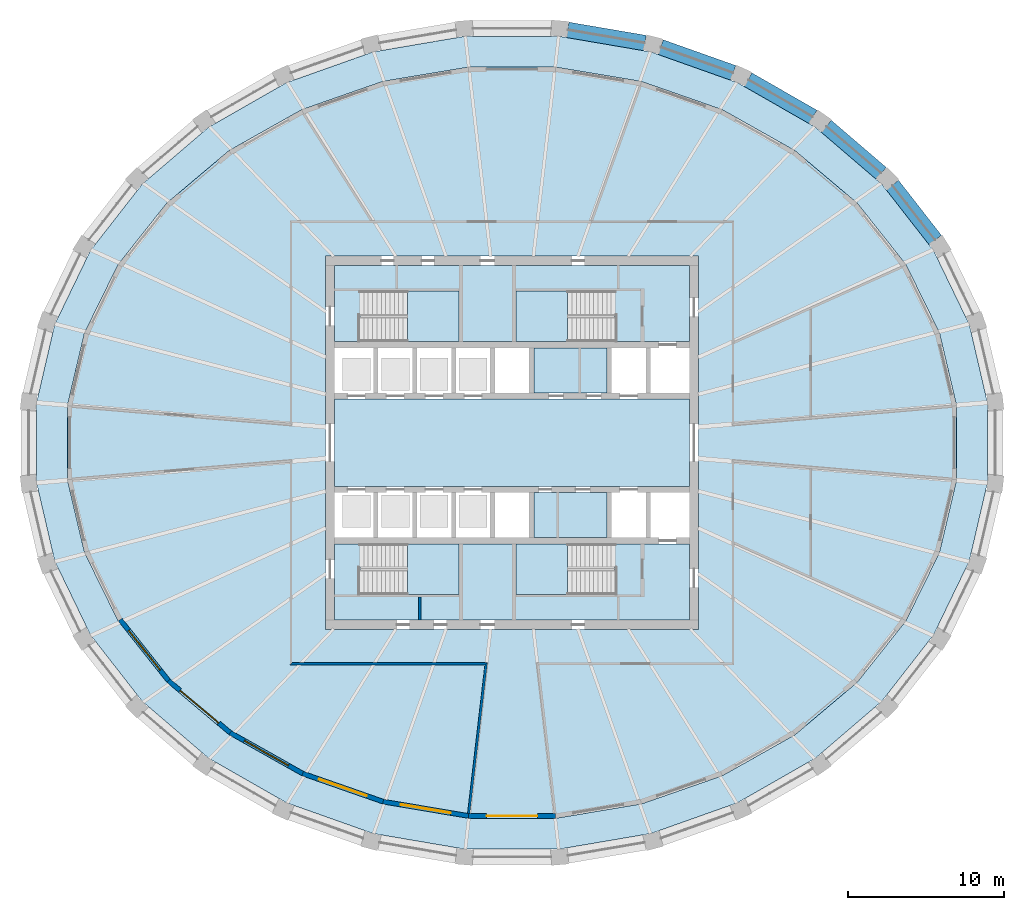
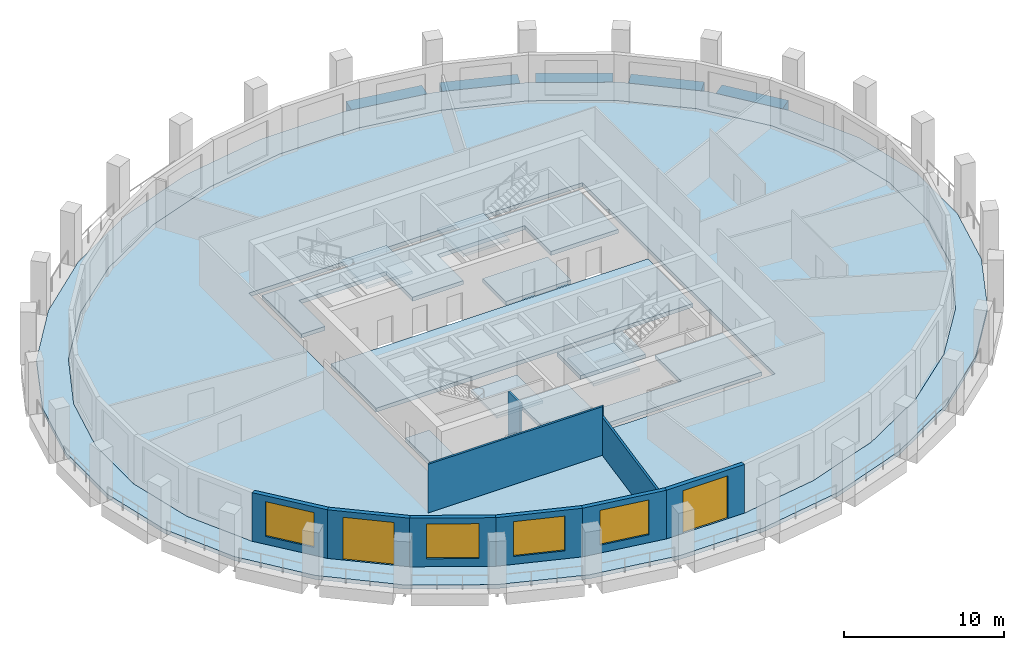
# One storey, part 2 of 10: 11 slabs, 9 walls, 5 beams, 4 windows, 2 doors, 6 openings, 4 elements without a shape of their own.
"""IFC4 building model written with IfcOpenShell, lengths in metres."""

from ifc_helpers import new_model, si_unit, direction, frame, frame_2d, origin, origin_2d, place, context, subcontext, project, spatial, polyline, rectangle, outline, extrude, material, layer, layer_set, material_profile, profile_set, type_object, element, fill, aggregate, save


model = new_model("IFC4")

# Units and contexts
model_context = context("Model", 3, precision=1e-05, world=origin(), true_north=direction((0.0, 1.0)))
body_context = subcontext(model_context, "Body", "Model", "MODEL_VIEW")
ifc_project = project(units=[si_unit("LENGTHUNIT", "METRE"), si_unit("AREAUNIT", "SQUARE_METRE"), si_unit("VOLUMEUNIT", "CUBIC_METRE"), si_unit("PLANEANGLEUNIT", "RADIAN"), si_unit("MASSUNIT", "GRAM", prefix="KILO")], contexts=[model_context])

# Site, building, storey
site_placement = place(None, origin())
site = spatial("IfcSite", under=ifc_project, at=site_placement, CompositionType="ELEMENT")
building_placement = place(site_placement, origin())
building = spatial("IfcBuilding", under=site, at=building_placement, Name="Halqa Exchange Tower", CompositionType="ELEMENT")
storey_placement = place(building_placement, frame((0.0, 0.0, 238.89990234375)))
storey = spatial("IfcBuildingStorey", under=building, at=storey_placement, Name="L55", CompositionType="ELEMENT", Elevation=238.89990234375)

# Beams
ifc_material_1 = material(Name="Concrete C60/75", Category="concrete")
ifc_material_profile = material_profile(ifc_material_1, rectangle(XDim=1.0, YDim=0.89990234375, at=origin_2d()), Name="1000 x 900")
ifc_profile_set = profile_set([ifc_material_profile], Name="Concrete C60/75")
beam_type = type_object("IfcBeamType", Name="RC spandrel beam 1000 x 900 C60/75", PredefinedType="SPANDREL", material=ifc_profile_set)
beam_1_placement = place(storey_placement, frame((27.20263671875, 13.024658203125, -0.449951171875), z_axis=(-0.614827074471, 0.788661948174, 0.0), x_axis=(-0.788661948174, -0.614827074471, 0.0)))
element("IfcBeam", 1, at=beam_1_placement, inside=storey, type_object=beam_type, Name="Spandrel 3", PredefinedType="SPANDREL", context=body_context, shape_type="SweptSolid", body=[
    extrude(rectangle(XDim=1.0, YDim=0.89990234375, at=origin_2d()), origin(), (0.0, 0.0, 1.0), 4.478759765625),
])
beam_2_placement = place(storey_placement, frame((23.72802734375, 17.312255859375, -0.449951171875), z_axis=(-0.759267722395, 0.650778399864, 0.0), x_axis=(-0.650778399864, -0.759267722395, 0.0)))
element("IfcBeam", 2, at=beam_2_placement, inside=storey, type_object=beam_type, Name="Spandrel 4", PredefinedType="SPANDREL", context=body_context, shape_type="SweptSolid", body=[
    extrude(rectangle(XDim=1.0, YDim=0.89990234375, at=origin_2d()), origin(), (0.0, 0.0, 1.0), 4.649169921875),
])
beam_3_placement = place(storey_placement, frame((19.345458984375, 20.939697265625, -0.449951171875), z_axis=(-0.8677465318, 0.497006998491, 0.0), x_axis=(-0.497006998491, -0.8677465318, 0.0)))
element("IfcBeam", 3, at=beam_3_placement, inside=storey, type_object=beam_type, Name="Spandrel 5", PredefinedType="SPANDREL", context=body_context, shape_type="SweptSolid", body=[
    extrude(rectangle(XDim=1.0, YDim=0.89990234375, at=origin_2d()), origin(), (0.0, 0.0, 1.0), 4.814453125),
])
beam_4_placement = place(storey_placement, frame((14.218994140625, 23.768310546875, -0.449951171875), z_axis=(-0.94237407927, 0.334561047822, 0.0), x_axis=(-0.334561047822, -0.94237407927, 0.0)))
element("IfcBeam", 4, at=beam_4_placement, inside=storey, type_object=beam_type, Name="Spandrel 6", PredefinedType="SPANDREL", context=body_context, shape_type="SweptSolid", body=[
    extrude(rectangle(XDim=1.0, YDim=0.89990234375, at=origin_2d()), origin(), (0.0, 0.0, 1.0), 4.94970703125),
])
beam_5_placement = place(storey_placement, frame((8.543212890625, 25.68798828125, -0.449951171875), z_axis=(-0.985775605401, 0.16806681944, 0.0), x_axis=(-0.16806681944, -0.985775605401, 0.0)))
element("IfcBeam", 5, at=beam_5_placement, inside=storey, type_object=beam_type, Name="Spandrel 7", PredefinedType="SPANDREL", context=body_context, shape_type="SweptSolid", body=[
    extrude(rectangle(XDim=1.0, YDim=0.89990234375, at=origin_2d()), origin(), (0.0, 0.0, 1.0), 5.039306640625),
])

# Slabs
ifc_layer_1 = layer(ifc_material_1, 0.300048828125)
ifc_layer_set_1 = layer_set([ifc_layer_1], Name="Concrete C60/75")
slab_type_1 = type_object("IfcSlabType", Name="Core floor slab 300", PredefinedType="FLOOR", material=ifc_layer_set_1)
slab_1_placement = place(storey_placement, frame((0.0, 0.0, -0.2998046875)))
element("IfcSlab", 6, at=slab_1_placement, inside=storey, type_object=slab_type_1, Name="Core floor slab", PredefinedType="FLOOR", context=body_context, shape_type="SweptSolid", body=[
    extrude(outline(polyline([(-11.39990234375, 2.800048828125), (11.39990234375, 2.800048828125), (11.39990234375, -2.800048828125), (-11.39990234375, -2.800048828125), (-11.39990234375, 2.800048828125)])), origin(), (0.0, 0.0, 1.0), 0.2998046875),
])
slab_2_placement = place(storey_placement, frame((0.0, 0.0, -0.2998046875)))
element("IfcSlab", 7, at=slab_2_placement, inside=storey, type_object=slab_type_1, Name="Core floor slab", PredefinedType="FLOOR", context=body_context, shape_type="SweptSolid", body=[
    extrude(outline(polyline([(-11.39990234375, 11.39990234375), (11.39990234375, 11.39990234375), (11.39990234375, 6.5), (6.550048828125, 6.5), (6.550048828125, 9.75), (0.25, 9.75), (0.25, 6.5), (-3.39990234375, 6.5), (-3.39990234375, 9.75), (-9.699951171875, 9.75), (-9.699951171875, 6.5), (-11.39990234375, 6.5), (-11.39990234375, 11.39990234375)])), origin(), (0.0, 0.0, 1.0), 0.2998046875),
])
slab_3_placement = place(storey_placement, frame((0.0, 0.0, -0.2998046875)))
element("IfcSlab", 8, at=slab_3_placement, inside=storey, type_object=slab_type_1, Name="Core floor slab", PredefinedType="FLOOR", context=body_context, shape_type="SweptSolid", body=[
    extrude(outline(polyline([(-9.699951171875, -9.75), (-3.39990234375, -9.75), (-3.39990234375, -6.5), (0.25, -6.5), (0.25, -9.75), (6.550048828125, -9.75), (6.550048828125, -6.5), (11.39990234375, -6.5), (11.39990234375, -11.39990234375), (-11.39990234375, -11.39990234375), (-11.39990234375, -6.5), (-9.699951171875, -6.5), (-9.699951171875, -9.75)])), origin(), (0.0, 0.0, 1.0), 0.2998046875),
])
slab_4_placement = place(storey_placement, frame((0.0, 0.0, -0.2998046875)))
element("IfcSlab", 9, at=slab_4_placement, inside=storey, type_object=slab_type_1, Name="Core floor slab", PredefinedType="FLOOR", context=body_context, shape_type="SweptSolid", body=[
    extrude(outline(polyline([(6.10009765625, -3.199951171875), (6.10009765625, -6.10009765625), (1.39990234375, -6.10009765625), (1.39990234375, -3.199951171875), (6.10009765625, -3.199951171875)])), origin(), (0.0, 0.0, 1.0), 0.2998046875),
])
slab_5_placement = place(storey_placement, frame((0.0, 0.0, -0.2998046875)))
element("IfcSlab", 10, at=slab_5_placement, inside=storey, type_object=slab_type_1, Name="Core floor slab", PredefinedType="FLOOR", context=body_context, shape_type="SweptSolid", body=[
    extrude(outline(polyline([(6.10009765625, 6.10009765625), (6.10009765625, 3.199951171875), (1.39990234375, 3.199951171875), (1.39990234375, 6.10009765625), (6.10009765625, 6.10009765625)])), origin(), (0.0, 0.0, 1.0), 0.2998046875),
])
ifc_material_2 = material(Name="Concrete C40/50", Category="concrete")
ifc_layer_2 = layer(ifc_material_2, 0.300048828125)
ifc_layer_set_2 = layer_set([ifc_layer_2], Name="Concrete C40/50")
slab_type_2 = type_object("IfcSlabType", Name="RC floor slab 300", PredefinedType="FLOOR", material=ifc_layer_set_2)
slab_6_placement = place(storey_placement, frame((0.0, 0.0, -0.2998046875)))
element("IfcSlab", 11, at=slab_6_placement, inside=storey, type_object=slab_type_2, Name="Floor slab", PredefinedType="FLOOR", context=body_context, shape_type="SweptSolid", body=[
    extrude(outline(polyline([(28.57373046875, 2.382568359375), (27.471435546875, 7.0546875), (25.310791015625, 11.451904296875), (22.177978515625, 15.40478515625), (18.1953125, 18.7626953125), (13.5166015625, 21.398193359375), (8.322021484375, 23.212158203125), (2.809814453125, 24.13671875), (-2.809814453125, 24.13671875), (-8.322021484375, 23.212158203125), (-13.5166015625, 21.398193359375), (-18.1953125, 18.7626953125), (-22.177978515625, 15.40478515625), (-25.310791015625, 11.451904296875), (-27.471435546875, 7.0546875), (-28.57373046875, 2.382568359375), (-28.57373046875, -2.382568359375), (-27.471435546875, -7.0546875), (-25.310791015625, -11.451904296875), (-22.177978515625, -15.40478515625), (-18.1953125, -18.7626953125), (-13.5166015625, -21.398193359375), (-8.322021484375, -23.212158203125), (-2.809814453125, -24.13671875), (2.809814453125, -24.13671875), (8.322021484375, -23.212158203125), (13.5166015625, -21.398193359375), (18.1953125, -18.7626953125), (22.177978515625, -15.40478515625), (25.310791015625, -11.451904296875), (27.471435546875, -7.0546875), (28.57373046875, -2.382568359375), (28.57373046875, 2.382568359375)]), holes=[polyline([(-12.0, -12.0), (12.0, -12.0), (12.0, 12.0), (-12.0, 12.0), (-12.0, -12.0)])]), origin(), (0.0, 0.0, 1.0), 0.2998046875),
])
ifc_layer_3 = layer(ifc_material_2, 0.300048828125)
ifc_layer_set_3 = layer_set([ifc_layer_3], Name="Concrete C40/50")
slab_type_3 = type_object("IfcSlabType", Name="RC loggia slab 300", PredefinedType="FLOOR", material=ifc_layer_set_3)
slab_7_placement = place(storey_placement, frame((0.0, 0.0, -0.2998046875)))
element("IfcSlab", 12, at=slab_7_placement, inside=storey, type_object=slab_type_3, Name="Loggia slab", PredefinedType="FLOOR", context=body_context, shape_type="SweptSolid", body=[
    extrude(outline(polyline([(30.560302734375, 2.564697265625), (30.560302734375, -2.564697265625), (29.39208984375, -7.598388671875), (27.09814453125, -12.34521484375), (23.762451171875, -16.624267578125), (19.51025390625, -20.26904296875), (14.5029296875, -23.136962890625), (8.933349609375, -25.114501953125), (3.016845703125, -26.123046875), (-3.016845703125, -26.123046875), (-8.933349609375, -25.114501953125), (-14.5029296875, -23.136962890625), (-19.51025390625, -20.26904296875), (-23.762451171875, -16.624267578125), (-27.09814453125, -12.34521484375), (-29.39208984375, -7.598388671875), (-30.560302734375, -2.564697265625), (-30.560302734375, 2.564697265625), (-29.39208984375, 7.598388671875), (-27.09814453125, 12.34521484375), (-23.762451171875, 16.624267578125), (-19.51025390625, 20.26904296875), (-14.5029296875, 23.136962890625), (-8.933349609375, 25.114501953125), (-3.016845703125, 26.123046875), (3.016845703125, 26.123046875), (8.933349609375, 25.114501953125), (14.5029296875, 23.136962890625), (19.51025390625, 20.26904296875), (23.762451171875, 16.624267578125), (27.09814453125, 12.34521484375), (29.39208984375, 7.598388671875), (30.560302734375, 2.564697265625)]), holes=[polyline([(28.57373046875, 2.382568359375), (27.471435546875, 7.0546875), (25.310791015625, 11.451904296875), (22.177978515625, 15.40478515625), (18.1953125, 18.7626953125), (13.5166015625, 21.398193359375), (8.322021484375, 23.212158203125), (2.809814453125, 24.13671875), (-2.809814453125, 24.13671875), (-8.322021484375, 23.212158203125), (-13.5166015625, 21.398193359375), (-18.1953125, 18.7626953125), (-22.177978515625, 15.40478515625), (-25.310791015625, 11.451904296875), (-27.471435546875, 7.0546875), (-28.57373046875, 2.382568359375), (-28.57373046875, -2.382568359375), (-27.471435546875, -7.0546875), (-25.310791015625, -11.451904296875), (-22.177978515625, -15.40478515625), (-18.1953125, -18.7626953125), (-13.5166015625, -21.398193359375), (-8.322021484375, -23.212158203125), (-2.809814453125, -24.13671875), (2.809814453125, -24.13671875), (8.322021484375, -23.212158203125), (13.5166015625, -21.398193359375), (18.1953125, -18.7626953125), (22.177978515625, -15.40478515625), (25.310791015625, -11.451904296875), (27.471435546875, -7.0546875), (28.57373046875, -2.382568359375), (28.57373046875, 2.382568359375)])]), origin(), (0.0, 0.0, 1.0), 0.2998046875),
])

# Stair, slab
ifc_material_3 = material(Name="Concrete C30/37", Category="concrete")
stair_type = type_object("IfcStairType", Name="Exit stair 1500 wide", PredefinedType="HALF_TURN_STAIR", material=ifc_material_3)
stair_1_placement = place(storey_placement, origin())
stair_1 = element("IfcStair", 13, at=stair_1_placement, inside=storey, type_object=stair_type, Name="Exit stair ST1", PredefinedType="HALF_TURN_STAIR")
ifc_layer_4 = layer(ifc_material_3, 0.199951171875)
ifc_layer_set_4 = layer_set([ifc_layer_4], Name="Concrete C30/37")
slab_type_4 = type_object("IfcSlabType", Name="Stair landing 200 slab", PredefinedType="LANDING", material=ifc_layer_set_4)
slab_8_placement = place(storey_placement, frame((0.0, 0.0, 1.800048828125)))
slab_8 = element("IfcSlab", 14, at=slab_8_placement, type_object=slab_type_4, Name="ST1 landing 1", PredefinedType="LANDING", context=body_context, shape_type="SweptSolid", body=[
    extrude(outline(polyline([(-6.719970703125, 6.5), (-3.39990234375, 6.5), (-3.39990234375, 9.75), (-6.719970703125, 9.75), (-6.719970703125, 6.5)])), origin(), (0.0, 0.0, 1.0), 0.199951171875),
])
aggregate(stair_1, [slab_8])

stair_2_placement = place(storey_placement, origin())
stair_2 = element("IfcStair", 15, at=stair_2_placement, inside=storey, type_object=stair_type, Name="Exit stair ST2", PredefinedType="HALF_TURN_STAIR")
slab_9_placement = place(storey_placement, frame((0.0, 0.0, 1.800048828125)))
slab_9 = element("IfcSlab", 16, at=slab_9_placement, type_object=slab_type_4, Name="ST2 landing 1", PredefinedType="LANDING", context=body_context, shape_type="SweptSolid", body=[
    extrude(outline(polyline([(0.25, 6.5), (3.570068359375, 6.5), (3.570068359375, 9.75), (0.25, 9.75), (0.25, 6.5)])), origin(), (0.0, 0.0, 1.0), 0.199951171875),
])
aggregate(stair_2, [slab_9])

stair_3_placement = place(storey_placement, origin())
stair_3 = element("IfcStair", 17, at=stair_3_placement, inside=storey, type_object=stair_type, Name="Exit stair ST3", PredefinedType="HALF_TURN_STAIR")
slab_10_placement = place(storey_placement, frame((0.0, 0.0, 1.800048828125)))
slab_10 = element("IfcSlab", 18, at=slab_10_placement, type_object=slab_type_4, Name="ST3 landing 1", PredefinedType="LANDING", context=body_context, shape_type="SweptSolid", body=[
    extrude(outline(polyline([(-6.719970703125, -9.75), (-3.39990234375, -9.75), (-3.39990234375, -6.5), (-6.719970703125, -6.5), (-6.719970703125, -9.75)])), origin(), (0.0, 0.0, 1.0), 0.199951171875),
])
aggregate(stair_3, [slab_10])

stair_4_placement = place(storey_placement, origin())
stair_4 = element("IfcStair", 19, at=stair_4_placement, inside=storey, type_object=stair_type, Name="Exit stair ST4", PredefinedType="HALF_TURN_STAIR")
slab_11_placement = place(storey_placement, frame((0.0, 0.0, 1.800048828125)))
slab_11 = element("IfcSlab", 20, at=slab_11_placement, type_object=slab_type_4, Name="ST4 landing 1", PredefinedType="LANDING", context=body_context, shape_type="SweptSolid", body=[
    extrude(outline(polyline([(0.25, -9.75), (3.570068359375, -9.75), (3.570068359375, -6.5), (0.25, -6.5), (0.25, -9.75)])), origin(), (0.0, 0.0, 1.0), 0.199951171875),
])
aggregate(stair_4, [slab_11])

# Walls
ifc_material_4 = material(Name="Fire-rated gypsum board")
ifc_layer_5 = layer(ifc_material_4, 0.14990234375)
ifc_layer_set_5 = layer_set([ifc_layer_5], Name="Fire-rated gypsum board")
wall_type_1 = type_object("IfcWallType", Name="Fire partition EI 60 150", PredefinedType="PARTITIONING", material=ifc_layer_set_5)
wall_1_placement = place(storey_placement, frame((-2.7841796875, -23.83251953125, 0.0), z_axis=(0.0, 0.0, 1.0), x_axis=(0.115927481877, 0.993257680034, 0.0)))
element("IfcWall", 21, at=wall_1_placement, inside=storey, type_object=wall_type_1, Name="L55-PWL-007", PredefinedType="PARTITIONING", context=body_context, shape_type="SweptSolid", body=[
    extrude(outline(polyline([(0.004638671875, -0.074951171875), (1.960205078125, -0.074951171875), (3.91552734375, -0.074951171875), (5.87109375, -0.074951171875), (7.82666015625, -0.074951171875), (9.7822265625, -0.074951171875), (9.697998046875, 0.0), (9.61376953125, 0.074951171875), (7.69091796875, 0.074951171875), (5.768310546875, 0.074951171875), (3.845458984375, 0.074951171875), (1.9228515625, 0.074951171875), (0.0, 0.074951171875), (0.0, -0.03515625), (0.004638671875, -0.074951171875)])), origin(), (0.0, 0.0, 1.0), 2.897216796875),
])
wall_2_placement = place(storey_placement, frame((-1.57568359375, -14.199951171875, 0.0), z_axis=(0.0, 0.0, 1.0), x_axis=(-1.0, 0.0, 0.0)))
element("IfcWall", 22, at=wall_2_placement, inside=storey, type_object=wall_type_1, Name="L55-PWL-008", PredefinedType="PARTITIONING", context=body_context, shape_type="SweptSolid", body=[
    extrude(outline(polyline([(0.0, -0.074951171875), (1.792724609375, -0.074951171875), (3.58544921875, -0.074951171875), (5.37841796875, -0.074951171875), (7.171142578125, -0.074951171875), (8.9638671875, -0.074951171875), (10.756591796875, -0.074951171875), (12.54931640625, -0.074951171875), (12.69921875, 0.074951171875), (10.9091796875, 0.074951171875), (9.118896484375, 0.074951171875), (7.328857421875, 0.074951171875), (5.538818359375, 0.074951171875), (3.748779296875, 0.074951171875), (1.95849609375, 0.074951171875), (0.16845703125, 0.074951171875), (0.0, -0.074951171875)])), origin(), (0.0, 0.0, 1.0), 3.7001953125),
])
ifc_material_5 = material(Name="Gypsum board")
ifc_layer_6 = layer(ifc_material_5, 0.14990234375)
ifc_layer_set_6 = layer_set([ifc_layer_6], Name="Gypsum board")
wall_type_2 = type_object("IfcWallType", Name="Penthouse riser wall 150 gypsum", PredefinedType="PARTITIONING", material=ifc_layer_set_6)
wall_3_placement = place(storey_placement, frame((-5.925048828125, -11.39990234375, 0.0), z_axis=(0.0, 0.0, 1.0), x_axis=(0.0, 1.0, 0.0)))
element("IfcWall", 23, at=wall_3_placement, inside=storey, type_object=wall_type_2, Name="Partition W5.925 S", PredefinedType="PARTITIONING", context=body_context, shape_type="SweptSolid", body=[
    extrude(rectangle(XDim=1.5, YDim=0.14990234375, at=frame_2d((0.75, 0.0))), origin(), (0.0, 0.0, 1.0), 3.7001953125),
])

# Wall, opening, window
ifc_material_6 = material(Name="Limestone cladding", Category="masonry")
ifc_layer_7 = layer(ifc_material_6, 0.0400390625)
ifc_material_7 = material(Name="Ventilated cavity")
ifc_layer_8 = layer(ifc_material_7, 0.030029296875, ventilated=True)
ifc_material_8 = material(Name="Mineral wool insulation")
ifc_layer_9 = layer(ifc_material_8, 0.10009765625)
ifc_layer_10 = layer(ifc_material_3, 0.10009765625)
ifc_material_9 = material(Name="Internal plaster")
ifc_layer_11 = layer(ifc_material_9, 0.030029296875)
ifc_layer_set_7 = layer_set([ifc_layer_7, ifc_layer_8, ifc_layer_9, ifc_layer_10, ifc_layer_11], Name="Stone-faced insulated wall 300")
wall_type_3 = type_object("IfcWallType", Name="Stone-faced insulated wall 300", PredefinedType="STANDARD", material=ifc_layer_set_7)
wall_4_placement = place(storey_placement, frame((-25.183349609375, -11.371337890625, 0.0), z_axis=(0.0, 0.0, 1.0), x_axis=(0.621130746167, -0.783706958094, 0.0)))
wall_4 = element("IfcWall", 24, at=wall_4_placement, inside=storey, type_object=wall_type_3, Name="Glass-line wall 19", PredefinedType="STANDARD", context=body_context, shape_type="SweptSolid", body=[
    extrude(outline(polyline([(-0.01611328125, -0.14990234375), (5.02783203125, -0.14990234375), (4.99755859375, 0.14990234375), (0.01611328125, 0.14990234375), (-0.01611328125, -0.14990234375)])), origin(), (0.0, 0.0, 1.0), 3.7001953125),
])
opening_1_placement = place(wall_4_placement, frame((0.88134765625, 0.0, 0.60009765625)))
opening_1 = element("IfcOpeningElement", 25, at=opening_1_placement, cuts=wall_4, Name="Opening W-F3-19", PredefinedType="OPENING", context=body_context, shape_type="SweptSolid", body=[
    extrude(rectangle(XDim=3.25, YDim=2.64990234375, at=frame_2d((1.625, 1.324951171875))), frame((0.0, 0.162109375, 0.0), z_axis=(0.0, -1.0, 0.0), x_axis=(1.0, 0.0, 0.0)), (0.0, 0.0, 1.0), 0.323974609375),
])
ifc_material_10 = material(Name="Clear low-emissivity glass in aluminium frame", Category="aluminium")
window_type = type_object("IfcWindowType", Name="Fixed clear glazed window 3250 x 2650", PartitioningType="TRIPLE_PANEL_VERTICAL", PredefinedType="WINDOW", material=ifc_material_10)
window_1_placement = place(opening_1_placement, origin())
window_1 = element("IfcWindow", 26, at=window_1_placement, inside=storey, type_object=window_type, Name="Window 3", OverallHeight=2.64990234375, OverallWidth=3.25, PartitioningType="TRIPLE_PANEL_VERTICAL", PredefinedType="WINDOW", context=body_context, shape_type="SweptSolid", body=[
    extrude(rectangle(XDim=3.25, YDim=2.64990234375, at=frame_2d((1.625, 1.324951171875))), frame((0.0, 0.030029296875, 0.0), z_axis=(0.0, -1.0, 0.0), x_axis=(1.0, 0.0, 0.0)), (0.0, 0.0, 1.0), 0.06005859375),
])
fill(opening_1, window_1)

# Wall, opening, door
wall_5_placement = place(storey_placement, frame((-22.06982421875, -15.2998046875, 0.0), z_axis=(0.0, 0.0, 1.0), x_axis=(0.764530975429, -0.644586989948, 0.0)))
wall_5 = element("IfcWall", 27, at=wall_5_placement, inside=storey, type_object=wall_type_3, Name="Glass-line wall 20", PredefinedType="STANDARD", context=body_context, shape_type="SweptSolid", body=[
    extrude(outline(polyline([(-0.01513671875, -0.14990234375), (5.1943359375, -0.14990234375), (5.166015625, 0.14990234375), (0.01513671875, 0.14990234375), (-0.01513671875, -0.14990234375)])), origin(), (0.0, 0.0, 1.0), 3.7001953125),
])
opening_2_placement = place(wall_5_placement, frame((0.965087890625, 0.0, 0.0)))
opening_2 = element("IfcOpeningElement", 28, at=opening_2_placement, cuts=wall_5, Name="Opening LG-F3-05", PredefinedType="OPENING", context=body_context, shape_type="SweptSolid", body=[
    extrude(rectangle(XDim=3.25, YDim=3.25, at=frame_2d((1.625, 1.625))), frame((0.0, 0.162109375, 0.0), z_axis=(0.0, -1.0, 0.0), x_axis=(1.0, 0.0, 0.0)), (0.0, 0.0, 1.0), 0.323974609375),
])
door_type = type_object("IfcDoorType", Name="Glazed sliding loggia door 3250 x 3250", OperationType="DOUBLE_DOOR_SLIDING", PredefinedType="DOOR", material=ifc_material_10)
door_1_placement = place(opening_2_placement, origin())
door_1 = element("IfcDoor", 29, at=door_1_placement, inside=storey, type_object=door_type, Name="Loggia door 5", OperationType="DOUBLE_DOOR_SLIDING", OverallHeight=3.25, OverallWidth=3.25, PredefinedType="DOOR", context=body_context, shape_type="SweptSolid", body=[
    extrude(rectangle(XDim=3.25, YDim=3.25, at=frame_2d((1.625, 1.625))), frame((0.0, 0.02490234375, 0.0), z_axis=(0.0, -1.0, 0.0), x_axis=(1.0, 0.0, 0.0)), (0.0, 0.0, 1.0), 0.050048828125),
])
fill(opening_2, door_1)

# Wall, opening, window
wall_6_placement = place(storey_placement, frame((-18.109375, -18.638916015625, 0.0), z_axis=(0.0, 0.0, 1.0), x_axis=(0.871275151053, -0.490794876865, 0.0)))
wall_6 = element("IfcWall", 30, at=wall_6_placement, inside=storey, type_object=wall_type_3, Name="Glass-line wall 21", PredefinedType="STANDARD", context=body_context, shape_type="SweptSolid", body=[
    extrude(outline(polyline([(-0.01416015625, -0.14990234375), (5.35595703125, -0.14990234375), (5.3291015625, 0.14990234375), (0.01416015625, 0.14990234375), (-0.01416015625, -0.14990234375)])), origin(), (0.0, 0.0, 1.0), 3.7001953125),
])
opening_3_placement = place(wall_6_placement, frame((1.046142578125, 0.0, 0.60009765625)))
opening_3 = element("IfcOpeningElement", 31, at=opening_3_placement, cuts=wall_6, Name="Opening W-F3-21", PredefinedType="OPENING", context=body_context, shape_type="SweptSolid", body=[
    extrude(rectangle(XDim=3.25, YDim=2.64990234375, at=frame_2d((1.625, 1.324951171875))), frame((0.0, 0.162109375, 0.0), z_axis=(0.0, -1.0, 0.0), x_axis=(1.0, 0.0, 0.0)), (0.0, 0.0, 1.0), 0.323974609375),
])
window_2_placement = place(opening_3_placement, origin())
window_2 = element("IfcWindow", 32, at=window_2_placement, inside=storey, type_object=window_type, Name="Window 3", OverallHeight=2.64990234375, OverallWidth=3.25, PartitioningType="TRIPLE_PANEL_VERTICAL", PredefinedType="WINDOW", context=body_context, shape_type="SweptSolid", body=[
    extrude(rectangle(XDim=3.25, YDim=2.64990234375, at=frame_2d((1.625, 1.324951171875))), frame((0.0, 0.030029296875, 0.0), z_axis=(0.0, -1.0, 0.0), x_axis=(1.0, 0.0, 0.0)), (0.0, 0.0, 1.0), 0.06005859375),
])
fill(opening_3, window_2)

wall_7_placement = place(storey_placement, frame((-13.45458984375, -21.260986328125, 0.0), z_axis=(0.0, 0.0, 1.0), x_axis=(0.944093730832, -0.329677156326, 0.0)))
wall_7 = element("IfcWall", 33, at=wall_7_placement, inside=storey, type_object=wall_type_3, Name="Glass-line wall 22", PredefinedType="STANDARD", context=body_context, shape_type="SweptSolid", body=[
    extrude(outline(polyline([(-0.013427734375, -0.14990234375), (5.489013671875, -0.14990234375), (5.463623046875, 0.14990234375), (0.013427734375, 0.14990234375), (-0.013427734375, -0.14990234375)])), origin(), (0.0, 0.0, 1.0), 3.7001953125),
])
opening_4_placement = place(wall_7_placement, frame((1.113037109375, 0.0, 0.60009765625)))
opening_4 = element("IfcOpeningElement", 34, at=opening_4_placement, cuts=wall_7, Name="Opening W-F3-22", PredefinedType="OPENING", context=body_context, shape_type="SweptSolid", body=[
    extrude(rectangle(XDim=3.25, YDim=2.64990234375, at=frame_2d((1.625, 1.324951171875))), frame((0.0, 0.162109375, 0.0), z_axis=(0.0, -1.0, 0.0), x_axis=(1.0, 0.0, 0.0)), (0.0, 0.0, 1.0), 0.323974609375),
])
window_3_placement = place(opening_4_placement, origin())
window_3 = element("IfcWindow", 35, at=window_3_placement, inside=storey, type_object=window_type, Name="Window 3", OverallHeight=2.64990234375, OverallWidth=3.25, PartitioningType="TRIPLE_PANEL_VERTICAL", PredefinedType="WINDOW", context=body_context, shape_type="SweptSolid", body=[
    extrude(rectangle(XDim=3.25, YDim=2.64990234375, at=frame_2d((1.625, 1.324951171875))), frame((0.0, 0.030029296875, 0.0), z_axis=(0.0, -1.0, 0.0), x_axis=(1.0, 0.0, 0.0)), (0.0, 0.0, 1.0), 0.06005859375),
])
fill(opening_4, window_3)

wall_8_placement = place(storey_placement, frame((-8.284423828125, -23.06640625, 0.0), z_axis=(0.0, 0.0, 1.0), x_axis=(0.98622977737, -0.16538085206, 0.0)))
wall_8 = element("IfcWall", 36, at=wall_8_placement, inside=storey, type_object=wall_type_3, Name="Glass-line wall 23", PredefinedType="STANDARD", context=body_context, shape_type="SweptSolid", body=[
    extrude(outline(polyline([(-0.0126953125, -0.14990234375), (5.576416015625, -0.14990234375), (5.551513671875, 0.14990234375), (0.0126953125, 0.14990234375), (-0.0126953125, -0.14990234375)])), origin(), (0.0, 0.0, 1.0), 3.7001953125),
])
opening_5_placement = place(wall_8_placement, frame((1.156982421875, 0.0, 0.60009765625)))
opening_5 = element("IfcOpeningElement", 37, at=opening_5_placement, cuts=wall_8, Name="Opening W-F3-23", PredefinedType="OPENING", context=body_context, shape_type="SweptSolid", body=[
    extrude(rectangle(XDim=3.25, YDim=2.64990234375, at=frame_2d((1.625, 1.324951171875))), frame((0.0, 0.162109375, 0.0), z_axis=(0.0, -1.0, 0.0), x_axis=(1.0, 0.0, 0.0)), (0.0, 0.0, 1.0), 0.323974609375),
])
window_4_placement = place(opening_5_placement, origin())
window_4 = element("IfcWindow", 38, at=window_4_placement, inside=storey, type_object=window_type, Name="Window 3", OverallHeight=2.64990234375, OverallWidth=3.25, PartitioningType="TRIPLE_PANEL_VERTICAL", PredefinedType="WINDOW", context=body_context, shape_type="SweptSolid", body=[
    extrude(rectangle(XDim=3.25, YDim=2.64990234375, at=frame_2d((1.625, 1.324951171875))), frame((0.0, 0.030029296875, 0.0), z_axis=(0.0, -1.0, 0.0), x_axis=(1.0, 0.0, 0.0)), (0.0, 0.0, 1.0), 0.06005859375),
])
fill(opening_5, window_4)

# Wall, opening, door
wall_9_placement = place(storey_placement, frame((-2.797119140625, -23.986572265625, 0.0), z_axis=(0.0, 0.0, 1.0), x_axis=(1.0, 0.0, 0.0)))
wall_9 = element("IfcWall", 39, at=wall_9_placement, inside=storey, type_object=wall_type_3, Name="Glass-line wall 24", PredefinedType="STANDARD", context=body_context, shape_type="SweptSolid", body=[
    extrude(outline(polyline([(-0.012451171875, -0.14990234375), (5.606689453125, -0.14990234375), (5.581787109375, 0.14990234375), (0.012451171875, 0.14990234375), (-0.012451171875, -0.14990234375)])), origin(), (0.0, 0.0, 1.0), 3.7001953125),
])
opening_6_placement = place(wall_9_placement, frame((1.172119140625, 0.0, 0.0)))
opening_6 = element("IfcOpeningElement", 40, at=opening_6_placement, cuts=wall_9, Name="Opening LG-F3-06", PredefinedType="OPENING", context=body_context, shape_type="SweptSolid", body=[
    extrude(rectangle(XDim=3.25, YDim=3.25, at=frame_2d((1.625, 1.625))), frame((0.0, 0.162109375, 0.0), z_axis=(0.0, -1.0, 0.0), x_axis=(1.0, 0.0, 0.0)), (0.0, 0.0, 1.0), 0.323974609375),
])
door_2_placement = place(opening_6_placement, origin())
door_2 = element("IfcDoor", 41, at=door_2_placement, inside=storey, type_object=door_type, Name="Loggia door 6", OperationType="DOUBLE_DOOR_SLIDING", OverallHeight=3.25, OverallWidth=3.25, PredefinedType="DOOR", context=body_context, shape_type="SweptSolid", body=[
    extrude(rectangle(XDim=3.25, YDim=3.25, at=frame_2d((1.625, 1.625))), frame((0.0, 0.02490234375, 0.0), z_axis=(0.0, -1.0, 0.0), x_axis=(1.0, 0.0, 0.0)), (0.0, 0.0, 1.0), 0.050048828125),
])
fill(opening_6, door_2)

save(model, "model.ifc")
